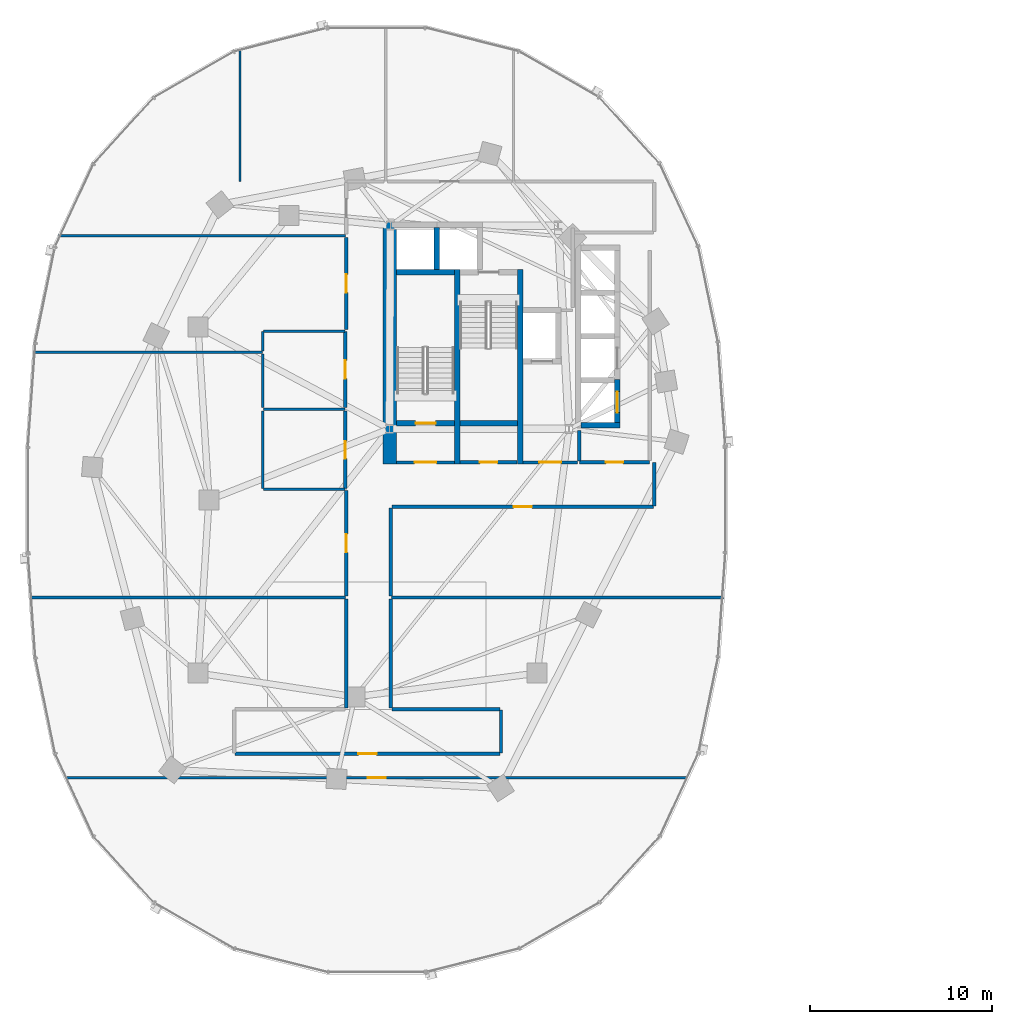
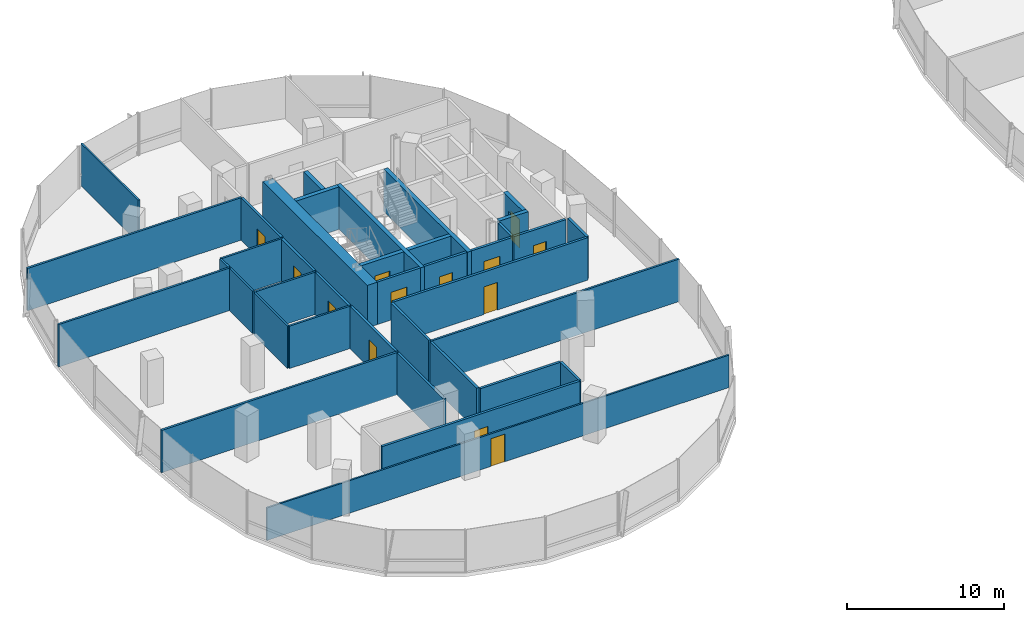
# One storey, part 11 of 21: 38 walls, 13 doors, 13 openings.
"""IFC4 building model written with IfcOpenShell, lengths in metres."""

from ifc_helpers import new_model, si_unit, direction, frame, frame_2d, origin, place, context, subcontext, project, spatial, rectangle, extrude, material, layer, layer_set, type_object, element, fill, save


model = new_model("IFC4")

# Units and contexts
model_context = context("Model", 3, precision=1e-05, world=origin(), true_north=direction((0.0, 1.0)))
body_context = subcontext(model_context, "Body", "Model", "MODEL_VIEW")
ifc_project = project(units=[si_unit("LENGTHUNIT", "METRE"), si_unit("AREAUNIT", "SQUARE_METRE"), si_unit("VOLUMEUNIT", "CUBIC_METRE"), si_unit("PLANEANGLEUNIT", "RADIAN"), si_unit("MASSUNIT", "GRAM", prefix="KILO"), si_unit("THERMODYNAMICTEMPERATUREUNIT", "KELVIN"), si_unit("POWERUNIT", "WATT")], contexts=[model_context])

# Site, building, storey
site_placement = place(None, origin())
site = spatial("IfcSite", under=ifc_project, at=site_placement, CompositionType="ELEMENT")
building_placement = place(site_placement, origin())
building = spatial("IfcBuilding", under=site, at=building_placement, Name="Cundina Bronze Exchange", CompositionType="ELEMENT")
storey_placement = place(building_placement, frame((0.0, 0.0, 114.199951171875)))
storey = spatial("IfcBuildingStorey", under=building, at=storey_placement, Name="L29", CompositionType="ELEMENT", Elevation=114.199951171875)

# Wall
ifc_material_1 = material(Name="Gypsum Fireboard Partition EI120")
ifc_layer_1 = layer(ifc_material_1, 0.179931640625, Name="Gypsum Fireboard Partition EI120")
ifc_layer_set_1 = layer_set([ifc_layer_1], Name="Gypsum Fireboard Partition EI120")
wall_type_1 = type_object("IfcWallType", Name="WL-COR-180", PredefinedType="PARTITIONING", material=ifc_layer_set_1)
wall_1_placement = place(storey_placement, frame((-20.889892578125, 2.14990234375, 0.0), z_axis=(0.0, 0.0, 1.0), x_axis=(0.0, 1.0, 0.0)))
element("IfcWall", 1, at=wall_1_placement, inside=storey, type_object=wall_type_1, Name="L29 W Firefighting Lobby Side Wall", PredefinedType="PARTITIONING", context=body_context, shape_type="SweptSolid", body=[
    extrude(rectangle(XDim=1.650146484375, YDim=0.179931640625, at=frame_2d((0.8251953125, 0.0))), origin(), (0.0, 0.0, 1.0), 3.300048828125),
])

# Wall, opening, door
wall_2_placement = place(storey_placement, frame((-23.97998046875, 2.06005859375, 0.0), z_axis=(0.0, 0.0, 1.0), x_axis=(1.0, 0.0, 0.0)))
wall_2 = element("IfcWall", 2, at=wall_2_placement, inside=storey, type_object=wall_type_1, Name="L29 W Firefighting Lobby Exit Wall", PredefinedType="PARTITIONING", context=body_context, shape_type="SweptSolid", body=[
    extrude(rectangle(XDim=3.0, YDim=0.179931640625, at=frame_2d((1.5, 0.0))), origin(), (0.0, 0.0, 1.0), 3.300048828125),
])
opening_1_placement = place(wall_2_placement, frame((0.89990234375, 0.0, 0.0)))
opening_1 = element("IfcOpeningElement", 3, at=opening_1_placement, cuts=wall_2, Name="Opening DF-01", PredefinedType="OPENING", context=body_context, shape_type="SweptSolid", body=[
    extrude(rectangle(XDim=1.199951171875, YDim=2.14990234375, at=frame_2d((0.60009765625, 1.074951171875))), frame((0.0, 0.099853515625, 0.0), z_axis=(0.0, -1.0, 0.0), x_axis=(1.0, 0.0, 0.0)), (0.0, 0.0, 1.0), 0.199951171875),
])
ifc_material_2 = material(Name="Steel ASTM A36 Painted", Category="steel")
door_type_1 = type_object("IfcDoorType", Name="DR-FFL-1200", OperationType="NOTDEFINED", PredefinedType="DOOR", material=ifc_material_2)
door_1_placement = place(opening_1_placement, origin())
door_1 = element("IfcDoor", 4, at=door_1_placement, inside=storey, type_object=door_type_1, Name="L29 W Firefighting Lobby Door", OperationType="SINGLE_SWING_RIGHT", OverallHeight=2.14990234375, OverallWidth=1.199951171875, PredefinedType="DOOR", context=body_context, shape_type="SweptSolid", body=[
    extrude(rectangle(XDim=1.199951171875, YDim=2.14990234375, at=frame_2d((0.60009765625, 1.074951171875))), frame((0.0, 0.02490234375, 0.0), z_axis=(0.0, -1.0, 0.0), x_axis=(1.0, 0.0, 0.0)), (0.0, 0.0, 1.0), 0.050048828125),
])
fill(opening_1, door_1)

wall_3_placement = place(storey_placement, frame((-30.89990234375, 2.06005859375, 0.0), z_axis=(0.0, 0.0, 1.0), x_axis=(1.0, 0.0, 0.0)))
wall_3 = element("IfcWall", 5, at=wall_3_placement, inside=storey, type_object=wall_type_1, Name="L29 W Stair Vestibule Exit Wall", PredefinedType="PARTITIONING", context=body_context, shape_type="SweptSolid", body=[
    extrude(rectangle(XDim=3.159912109375, YDim=0.179931640625, at=frame_2d((1.580078125, 0.0))), origin(), (0.0, 0.0, 1.0), 3.300048828125),
])
opening_2_placement = place(wall_3_placement, frame((0.97998046875, 0.0, 0.0)))
opening_2 = element("IfcOpeningElement", 6, at=opening_2_placement, cuts=wall_3, Name="Opening DF-01", PredefinedType="OPENING", context=body_context, shape_type="SweptSolid", body=[
    extrude(rectangle(XDim=1.199951171875, YDim=2.14990234375, at=frame_2d((0.60009765625, 1.074951171875))), frame((0.0, 0.099853515625, 0.0), z_axis=(0.0, -1.0, 0.0), x_axis=(1.0, 0.0, 0.0)), (0.0, 0.0, 1.0), 0.199951171875),
])
door_2_placement = place(opening_2_placement, origin())
door_2 = element("IfcDoor", 7, at=door_2_placement, inside=storey, type_object=door_type_1, Name="L29 W Stair Vestibule Door", OperationType="SINGLE_SWING_LEFT", OverallHeight=2.14990234375, OverallWidth=1.199951171875, PredefinedType="DOOR", context=body_context, shape_type="SweptSolid", body=[
    extrude(rectangle(XDim=1.199951171875, YDim=2.14990234375, at=frame_2d((0.60009765625, 1.074951171875))), frame((0.0, 0.02490234375, 0.0), z_axis=(0.0, -1.0, 0.0), x_axis=(1.0, 0.0, 0.0)), (0.0, 0.0, 1.0), 0.050048828125),
])
fill(opening_2, door_2)

wall_4_placement = place(storey_placement, frame((-20.8701171875, 2.070068359375, 0.0), z_axis=(0.0, 0.0, 1.0), x_axis=(1.0, 0.0, 0.0)))
wall_4 = element("IfcWall", 8, at=wall_4_placement, inside=storey, type_object=wall_type_1, Name="L29 Interior Partition 002", PredefinedType="PARTITIONING", context=body_context, shape_type="SweptSolid", body=[
    extrude(rectangle(XDim=3.830078125, YDim=0.179931640625, at=frame_2d((1.9150390625, 0.0))), origin(), (0.0, 0.0, 1.0), 3.300048828125),
])
opening_3_placement = place(wall_4_placement, frame((1.43994140625, 0.0, 0.0)))
opening_3 = element("IfcOpeningElement", 9, at=opening_3_placement, cuts=wall_4, Name="Opening DW-01", PredefinedType="OPENING", context=body_context, shape_type="SweptSolid", body=[
    extrude(rectangle(XDim=0.949951171875, YDim=2.10009765625, at=frame_2d((0.47509765625, 1.050048828125))), frame((0.0, 0.099853515625, 0.0), z_axis=(0.0, -1.0, 0.0), x_axis=(1.0, 0.0, 0.0)), (0.0, 0.0, 1.0), 0.199951171875),
])
ifc_material_3 = material(Name="Solid Andean Oak Timber Grade A", Category="wood")
door_type_2 = type_object("IfcDoorType", Name="DR-WC-950", OperationType="NOTDEFINED", PredefinedType="DOOR", material=ifc_material_3)
door_3_placement = place(opening_3_placement, origin())
door_3 = element("IfcDoor", 10, at=door_3_placement, inside=storey, type_object=door_type_2, Name="L29 Interior Door 002", OperationType="SINGLE_SWING_LEFT", OverallHeight=2.10009765625, OverallWidth=0.949951171875, PredefinedType="DOOR", context=body_context, shape_type="SweptSolid", body=[
    extrude(rectangle(XDim=0.949951171875, YDim=2.10009765625, at=frame_2d((0.47509765625, 1.050048828125))), frame((0.0, 0.02490234375, 0.0), z_axis=(0.0, -1.0, 0.0), x_axis=(1.0, 0.0, 0.0)), (0.0, 0.0, 1.0), 0.050048828125),
])
fill(opening_3, door_3)

wall_5_placement = place(storey_placement, frame((-27.419921875, 2.070068359375, 0.0), z_axis=(0.0, 0.0, 1.0), x_axis=(1.0, 0.0, 0.0)))
wall_5 = element("IfcWall", 11, at=wall_5_placement, inside=storey, type_object=wall_type_1, Name="L29 Interior Partition 005", PredefinedType="PARTITIONING", context=body_context, shape_type="SweptSolid", body=[
    extrude(rectangle(XDim=3.119873046875, YDim=0.179931640625, at=frame_2d((1.56005859375, 0.0))), origin(), (0.0, 0.0, 1.0), 3.300048828125),
])
opening_4_placement = place(wall_5_placement, frame((1.0849609375, 0.0, 0.0)))
opening_4 = element("IfcOpeningElement", 12, at=opening_4_placement, cuts=wall_5, Name="Opening DW-01", PredefinedType="OPENING", context=body_context, shape_type="SweptSolid", body=[
    extrude(rectangle(XDim=0.949951171875, YDim=2.10009765625, at=frame_2d((0.47509765625, 1.050048828125))), frame((0.0, 0.099853515625, 0.0), z_axis=(0.0, -1.0, 0.0), x_axis=(1.0, 0.0, 0.0)), (0.0, 0.0, 1.0), 0.199951171875),
])
door_4_placement = place(opening_4_placement, origin())
door_4 = element("IfcDoor", 13, at=door_4_placement, inside=storey, type_object=door_type_2, Name="L29 Interior Door 005", OperationType="SINGLE_SWING_RIGHT", OverallHeight=2.10009765625, OverallWidth=0.949951171875, PredefinedType="DOOR", context=body_context, shape_type="SweptSolid", body=[
    extrude(rectangle(XDim=0.949951171875, YDim=2.10009765625, at=frame_2d((0.47509765625, 1.050048828125))), frame((0.0, 0.02490234375, 0.0), z_axis=(0.0, -1.0, 0.0), x_axis=(1.0, 0.0, 0.0)), (0.0, 0.0, 1.0), 0.050048828125),
])
fill(opening_4, door_4)

wall_6_placement = place(storey_placement, frame((-33.719970703125, 0.6201171875, 0.0), z_axis=(0.0, 0.0, 1.0), x_axis=(0.0, 1.0, 0.0)))
wall_6 = element("IfcWall", 14, at=wall_6_placement, inside=storey, type_object=wall_type_1, Name="L29 Interior Partition 012", PredefinedType="PARTITIONING", context=body_context, shape_type="SweptSolid", body=[
    extrude(rectangle(XDim=4.259765625, YDim=0.179931640625, at=frame_2d((2.1298828125, 0.0))), origin(), (0.0, 0.0, 1.0), 3.300048828125),
])
opening_5_placement = place(wall_6_placement, frame((1.655029296875, 0.0, 0.0)))
opening_5 = element("IfcOpeningElement", 15, at=opening_5_placement, cuts=wall_6, Name="Opening DW-01", PredefinedType="OPENING", context=body_context, shape_type="SweptSolid", body=[
    extrude(rectangle(XDim=0.949951171875, YDim=2.10009765625, at=frame_2d((0.47509765625, 1.050048828125))), frame((0.0, 0.099853515625, 0.0), z_axis=(0.0, -1.0, 0.0), x_axis=(1.0, 0.0, 0.0)), (0.0, 0.0, 1.0), 0.199951171875),
])
door_5_placement = place(opening_5_placement, origin())
door_5 = element("IfcDoor", 16, at=door_5_placement, inside=storey, type_object=door_type_2, Name="L29 Interior Door 012", OperationType="SINGLE_SWING_LEFT", OverallHeight=2.10009765625, OverallWidth=0.949951171875, PredefinedType="DOOR", context=body_context, shape_type="SweptSolid", body=[
    extrude(rectangle(XDim=0.949951171875, YDim=2.10009765625, at=frame_2d((0.47509765625, 1.050048828125))), frame((0.0, 0.02490234375, 0.0), z_axis=(0.0, -1.0, 0.0), x_axis=(1.0, 0.0, 0.0)), (0.0, 0.0, 1.0), 0.050048828125),
])
fill(opening_5, door_5)

wall_7_placement = place(storey_placement, frame((-33.719970703125, 5.080078125, 0.0), z_axis=(0.0, 0.0, 1.0), x_axis=(0.0, 1.0, 0.0)))
wall_7 = element("IfcWall", 17, at=wall_7_placement, inside=storey, type_object=wall_type_1, Name="L29 Interior Partition 013", PredefinedType="PARTITIONING", context=body_context, shape_type="SweptSolid", body=[
    extrude(rectangle(XDim=4.159912109375, YDim=0.179931640625, at=frame_2d((2.080078125, 0.0))), origin(), (0.0, 0.0, 1.0), 3.300048828125),
])
opening_6_placement = place(wall_7_placement, frame((1.580078125, 0.0, 0.0)))
opening_6 = element("IfcOpeningElement", 18, at=opening_6_placement, cuts=wall_7, Name="Opening DO-01", PredefinedType="OPENING", context=body_context, shape_type="SweptSolid", body=[
    extrude(rectangle(XDim=1.0, YDim=2.14990234375, at=frame_2d((0.5, 1.074951171875))), frame((0.0, 0.099853515625, 0.0), z_axis=(0.0, -1.0, 0.0), x_axis=(1.0, 0.0, 0.0)), (0.0, 0.0, 1.0), 0.199951171875),
])
door_type_3 = type_object("IfcDoorType", Name="DR-OFF-1000", OperationType="NOTDEFINED", PredefinedType="DOOR", material=ifc_material_3)
door_6_placement = place(opening_6_placement, origin())
door_6 = element("IfcDoor", 19, at=door_6_placement, inside=storey, type_object=door_type_3, Name="L29 Interior Door 013", OperationType="SINGLE_SWING_LEFT", OverallHeight=2.14990234375, OverallWidth=1.0, PredefinedType="DOOR", context=body_context, shape_type="SweptSolid", body=[
    extrude(rectangle(XDim=1.0, YDim=2.14990234375, at=frame_2d((0.5, 1.074951171875))), frame((0.0, 0.02490234375, 0.0), z_axis=(0.0, -1.0, 0.0), x_axis=(1.0, 0.0, 0.0)), (0.0, 0.0, 1.0), 0.050048828125),
])
fill(opening_6, door_6)

wall_8_placement = place(storey_placement, frame((-39.778564453125, -13.919921875, 0.0), z_axis=(0.0, 0.0, 1.0), x_axis=(1.0, 0.0, 0.0)))
wall_8 = element("IfcWall", 20, at=wall_8_placement, inside=storey, type_object=wall_type_1, Name="L29 Interior Partition 021", PredefinedType="PARTITIONING", context=body_context, shape_type="SweptSolid", body=[
    extrude(rectangle(XDim=14.55712890625, YDim=0.179931640625, at=frame_2d((7.278564453125, 0.0))), origin(), (0.0, 0.0, 1.0), 3.300048828125),
])
opening_7_placement = place(wall_8_placement, frame((6.778564453125, 0.0, 0.0)))
opening_7 = element("IfcOpeningElement", 21, at=opening_7_placement, cuts=wall_8, Name="Opening DO-01", PredefinedType="OPENING", context=body_context, shape_type="SweptSolid", body=[
    extrude(rectangle(XDim=1.0, YDim=2.14990234375, at=frame_2d((0.5, 1.074951171875))), frame((0.0, 0.099853515625, 0.0), z_axis=(0.0, -1.0, 0.0), x_axis=(1.0, 0.0, 0.0)), (0.0, 0.0, 1.0), 0.199951171875),
])
door_7_placement = place(opening_7_placement, origin())
door_7 = element("IfcDoor", 22, at=door_7_placement, inside=storey, type_object=door_type_3, Name="L29 Interior Door 021", OperationType="SINGLE_SWING_RIGHT", OverallHeight=2.14990234375, OverallWidth=1.0, PredefinedType="DOOR", context=body_context, shape_type="SweptSolid", body=[
    extrude(rectangle(XDim=1.0, YDim=2.14990234375, at=frame_2d((0.5, 1.074951171875))), frame((0.0, 0.02490234375, 0.0), z_axis=(0.0, -1.0, 0.0), x_axis=(1.0, 0.0, 0.0)), (0.0, 0.0, 1.0), 0.050048828125),
])
fill(opening_7, door_7)

# Walls
for number, where, z_axis, x_axis, name in (
    (23, (-33.669921875, -5.43994140625, 0.0), (0.0, 0.0, 1.0), (0.0, -1.0, 0.0), "L29 Interior Partition 023"),
    (24, (-31.22998046875, -11.39990234375, 0.0), (0.0, 0.0, 1.0), (0.0, 1.0, 0.0), "L29 Interior Partition 024"),
):
    element("IfcWall", number, at=place(storey_placement, frame(where, z_axis=z_axis, x_axis=x_axis)), inside=storey, type_object=wall_type_1, Name=name, PredefinedType="PARTITIONING", context=body_context, shape_type="SweptSolid", body=[
        extrude(rectangle(XDim=5.9599609375, YDim=0.179931640625, at=frame_2d((2.97998046875, 0.0))), origin(), (0.0, 0.0, 1.0), 3.300048828125),
    ])
wall_9_placement = place(storey_placement, frame((-25.221435546875, -11.47998046875, 0.0), z_axis=(0.0, 0.0, 1.0), x_axis=(-1.0, 0.0, 0.0)))
element("IfcWall", 25, at=wall_9_placement, inside=storey, type_object=wall_type_1, Name="L29 Interior Partition 025", PredefinedType="PARTITIONING", context=body_context, shape_type="SweptSolid", body=[
    extrude(rectangle(XDim=5.928466796875, YDim=0.179931640625, at=frame_2d((2.96435546875, 0.0))), origin(), (0.0, 0.0, 1.0), 3.300048828125),
])
wall_10_placement = place(storey_placement, frame((-25.179931640625, -13.87841796875, 0.0), z_axis=(0.0, 0.0, 1.0), x_axis=(0.0, 1.0, 0.0)))
element("IfcWall", 26, at=wall_10_placement, inside=storey, type_object=wall_type_1, Name="L29 Interior Partition 027", PredefinedType="PARTITIONING", context=body_context, shape_type="SweptSolid", body=[
    extrude(rectangle(XDim=2.35693359375, YDim=0.179931640625, at=frame_2d((1.178466796875, 0.0))), origin(), (0.0, 0.0, 1.0), 3.300048828125),
])

# Wall, opening, door
wall_11_placement = place(storey_placement, frame((-33.669921875, 0.508544921875, 0.0), z_axis=(0.0, 0.0, 1.0), x_axis=(0.0, -1.0, 0.0)))
wall_11 = element("IfcWall", 27, at=wall_11_placement, inside=storey, type_object=wall_type_1, Name="L29 Interior Partition 028", PredefinedType="PARTITIONING", context=body_context, shape_type="SweptSolid", body=[
    extrude(rectangle(XDim=5.7685546875, YDim=0.179931640625, at=frame_2d((2.88427734375, 0.0))), origin(), (0.0, 0.0, 1.0), 3.300048828125),
])
opening_8_placement = place(wall_11_placement, frame((2.38427734375, 0.0, 0.0)))
opening_8 = element("IfcOpeningElement", 28, at=opening_8_placement, cuts=wall_11, Name="Opening DO-01", PredefinedType="OPENING", context=body_context, shape_type="SweptSolid", body=[
    extrude(rectangle(XDim=1.0, YDim=2.14990234375, at=frame_2d((0.5, 1.074951171875))), frame((0.0, 0.099853515625, 0.0), z_axis=(0.0, -1.0, 0.0), x_axis=(1.0, 0.0, 0.0)), (0.0, 0.0, 1.0), 0.199951171875),
])
door_8_placement = place(opening_8_placement, origin())
door_8 = element("IfcDoor", 29, at=door_8_placement, inside=storey, type_object=door_type_3, Name="L29 Interior Door 028", OperationType="SINGLE_SWING_LEFT", OverallHeight=2.14990234375, OverallWidth=1.0, PredefinedType="DOOR", context=body_context, shape_type="SweptSolid", body=[
    extrude(rectangle(XDim=1.0, YDim=2.14990234375, at=frame_2d((0.5, 1.074951171875))), frame((0.0, 0.02490234375, 0.0), z_axis=(0.0, -1.0, 0.0), x_axis=(1.0, 0.0, 0.0)), (0.0, 0.0, 1.0), 0.050048828125),
])
fill(opening_8, door_8)

wall_12_placement = place(storey_placement, frame((-31.14990234375, -0.3701171875, 0.0), z_axis=(0.0, 0.0, 1.0), x_axis=(1.0, 0.0, 0.0)))
wall_12 = element("IfcWall", 30, at=wall_12_placement, inside=storey, type_object=wall_type_1, Name="L29 Interior Partition 029", PredefinedType="PARTITIONING", context=body_context, shape_type="SweptSolid", body=[
    extrude(rectangle(XDim=14.328369140625, YDim=0.179931640625, at=frame_2d((7.1640625, 0.0))), origin(), (0.0, 0.0, 1.0), 3.300048828125),
])
opening_9_placement = place(wall_12_placement, frame((6.664306640625, 0.0, 0.0)))
opening_9 = element("IfcOpeningElement", 31, at=opening_9_placement, cuts=wall_12, Name="Opening DO-01", PredefinedType="OPENING", context=body_context, shape_type="SweptSolid", body=[
    extrude(rectangle(XDim=1.0, YDim=2.14990234375, at=frame_2d((0.5, 1.074951171875))), frame((0.0, 0.099853515625, 0.0), z_axis=(0.0, -1.0, 0.0), x_axis=(1.0, 0.0, 0.0)), (0.0, 0.0, 1.0), 0.199951171875),
])
door_9_placement = place(opening_9_placement, origin())
door_9 = element("IfcDoor", 32, at=door_9_placement, inside=storey, type_object=door_type_3, Name="L29 Interior Door 029", OperationType="SINGLE_SWING_RIGHT", OverallHeight=2.14990234375, OverallWidth=1.0, PredefinedType="DOOR", context=body_context, shape_type="SweptSolid", body=[
    extrude(rectangle(XDim=1.0, YDim=2.14990234375, at=frame_2d((0.5, 1.074951171875))), frame((0.0, 0.02490234375, 0.0), z_axis=(0.0, -1.0, 0.0), x_axis=(1.0, 0.0, 0.0)), (0.0, 0.0, 1.0), 0.050048828125),
])
fill(opening_9, door_9)

# Walls
wall_13_placement = place(storey_placement, frame((-31.22998046875, -5.260009765625, 0.0), z_axis=(0.0, 0.0, 1.0), x_axis=(0.0, 1.0, 0.0)))
element("IfcWall", 33, at=wall_13_placement, inside=storey, type_object=wall_type_1, Name="L29 Interior Partition 031", PredefinedType="PARTITIONING", context=body_context, shape_type="SweptSolid", body=[
    extrude(rectangle(XDim=4.81005859375, YDim=0.179931640625, at=frame_2d((2.405029296875, 0.0))), origin(), (0.0, 0.0, 1.0), 3.300048828125),
])
wall_14_placement = place(storey_placement, frame((-16.780029296875, -0.32861328125, 0.0), z_axis=(0.0, 0.0, 1.0), x_axis=(0.0, 1.0, 0.0)))
element("IfcWall", 34, at=wall_14_placement, inside=storey, type_object=wall_type_1, Name="L29 Interior Partition 034", PredefinedType="PARTITIONING", context=body_context, shape_type="SweptSolid", body=[
    extrude(rectangle(XDim=2.38720703125, YDim=0.179931640625, at=frame_2d((1.193603515625, 0.0))), origin(), (0.0, 0.0, 1.0), 3.300048828125),
])

# Wall, opening, door
wall_15_placement = place(storey_placement, frame((-33.669921875, 14.409912109375, 0.0), z_axis=(0.0, 0.0, 1.0), x_axis=(0.0, -1.0, 0.0)))
wall_15 = element("IfcWall", 35, at=wall_15_placement, inside=storey, type_object=wall_type_1, Name="L29 Interior Partition 035", PredefinedType="PARTITIONING", context=body_context, shape_type="SweptSolid", body=[
    extrude(rectangle(XDim=5.05859375, YDim=0.179931640625, at=frame_2d((2.529296875, 0.0))), origin(), (0.0, 0.0, 1.0), 3.300048828125),
])
opening_10_placement = place(wall_15_placement, frame((2.029296875, 0.0, 0.0)))
opening_10 = element("IfcOpeningElement", 36, at=opening_10_placement, cuts=wall_15, Name="Opening DO-01", PredefinedType="OPENING", context=body_context, shape_type="SweptSolid", body=[
    extrude(rectangle(XDim=1.0, YDim=2.14990234375, at=frame_2d((0.5, 1.074951171875))), frame((0.0, 0.099853515625, 0.0), z_axis=(0.0, -1.0, 0.0), x_axis=(1.0, 0.0, 0.0)), (0.0, 0.0, 1.0), 0.199951171875),
])
door_10_placement = place(opening_10_placement, origin())
door_10 = element("IfcDoor", 37, at=door_10_placement, inside=storey, type_object=door_type_3, Name="L29 Interior Door 035", OperationType="SINGLE_SWING_LEFT", OverallHeight=2.14990234375, OverallWidth=1.0, PredefinedType="DOOR", context=body_context, shape_type="SweptSolid", body=[
    extrude(rectangle(XDim=1.0, YDim=2.14990234375, at=frame_2d((0.5, 1.074951171875))), frame((0.0, 0.02490234375, 0.0), z_axis=(0.0, -1.0, 0.0), x_axis=(1.0, 0.0, 0.0)), (0.0, 0.0, 1.0), 0.050048828125),
])
fill(opening_10, door_10)

# Walls
ifc_material_4 = material(Name="Concrete C60/75", Category="concrete")
ifc_layer_2 = layer(ifc_material_4, 0.75, Name="Concrete C60/75", Category="concrete")
ifc_layer_set_2 = layer_set([ifc_layer_2], Name="Concrete C60/75")
wall_type_2 = type_object("IfcWallType", Name="WL-CORE-750", PredefinedType="SHEAR", material=ifc_layer_set_2)
wall_16_placement = place(storey_placement, frame((-31.27490234375, 1.969970703125, 0.0), z_axis=(0.0, 0.0, 1.0), x_axis=(0.0, 1.0, 0.0)))
element("IfcWall", 38, at=wall_16_placement, inside=storey, type_object=wall_type_2, Name="L29 W Primary Core Shear Spine Wall", PredefinedType="SHEAR", context=body_context, shape_type="SweptSolid", body=[
    extrude(rectangle(XDim=13.330078125, YDim=0.75, at=frame_2d((6.6650390625, 0.0))), origin(), (0.0, 0.0, 1.0), 3.300048828125),
])
ifc_material_5 = material(Name="Gypsum Acoustic Partition EI60")
ifc_layer_3 = layer(ifc_material_5, 0.125, Name="Gypsum Acoustic Partition EI60")
ifc_layer_set_3 = layer_set([ifc_layer_3], Name="Gypsum Acoustic Partition EI60")
wall_type_3 = type_object("IfcWallType", Name="WL-OFF-125", PredefinedType="PARTITIONING", material=ifc_layer_set_3)
wall_17_placement = place(storey_placement, frame((-39.5, 17.469970703125, 0.0), z_axis=(0.0, 0.0, 1.0), x_axis=(0.0, 1.0, 0.0)))
element("IfcWall", 39, at=wall_17_placement, inside=storey, type_object=wall_type_3, Name="L29 Interior Partition 018", PredefinedType="PARTITIONING", context=body_context, shape_type="SweptSolid", body=[
    extrude(rectangle(XDim=7.30224609375, YDim=0.125, at=frame_2d((3.651123046875, 0.0))), origin(), (0.0, 0.0, 1.0), 3.300048828125),
])

# Wall, opening, door
wall_18_placement = place(storey_placement, frame((-49.005126953125, -15.22998046875, 0.0), z_axis=(0.0, 0.0, 1.0), x_axis=(1.0, 0.0, 0.0)))
wall_18 = element("IfcWall", 40, at=wall_18_placement, inside=storey, type_object=wall_type_3, Name="L29 Interior Partition 039", PredefinedType="PARTITIONING", context=body_context, shape_type="SweptSolid", body=[
    extrude(rectangle(XDim=34.01025390625, YDim=0.125, at=frame_2d((17.005126953125, 0.0))), origin(), (0.0, 0.0, 1.0), 2.527099609375),
])
opening_11_placement = place(wall_18_placement, frame((16.505126953125, 0.0, 0.0)))
opening_11 = element("IfcOpeningElement", 41, at=opening_11_placement, cuts=wall_18, Name="Opening DO-01", PredefinedType="OPENING", context=body_context, shape_type="SweptSolid", body=[
    extrude(rectangle(XDim=1.0, YDim=2.14990234375, at=frame_2d((0.5, 1.074951171875))), frame((0.0, 0.072509765625, 0.0), z_axis=(0.0, -1.0, 0.0), x_axis=(1.0, 0.0, 0.0)), (0.0, 0.0, 1.0), 0.14501953125),
])
door_11_placement = place(opening_11_placement, origin())
door_11 = element("IfcDoor", 42, at=door_11_placement, inside=storey, type_object=door_type_3, Name="L29 Interior Door 039", OperationType="SINGLE_SWING_RIGHT", OverallHeight=2.14990234375, OverallWidth=1.0, PredefinedType="DOOR", context=body_context, shape_type="SweptSolid", body=[
    extrude(rectangle(XDim=1.0, YDim=2.14990234375, at=frame_2d((0.5, 1.074951171875))), frame((0.0, 0.02490234375, 0.0), z_axis=(0.0, -1.0, 0.0), x_axis=(1.0, 0.0, 0.0)), (0.0, 0.0, 1.0), 0.050048828125),
])
fill(opening_11, door_11)

# Walls
ifc_material_6 = material(Name="Concrete C50/60", Category="concrete")
ifc_layer_4 = layer(ifc_material_6, 0.300048828125, Name="Concrete C50/60", Category="concrete")
ifc_layer_set_4 = layer_set([ifc_layer_4], Name="Concrete C50/60")
wall_type_4 = type_object("IfcWallType", Name="WL-SHFT-300", PredefinedType="SHEAR", material=ifc_layer_set_4)
for number, where, z_axis, x_axis, name in (
    (43, (-27.590087890625, 1.969970703125, 0.0), (0.0, 0.0, 1.0), (0.0, 1.0, 0.0), "L29 W Stair Shaft Dividing Shear Wall"),
    (44, (-24.1298828125, 1.969970703125, 0.0), (0.0, 0.0, 1.0), (0.0, 1.0, 0.0), "L29 W Stair 2 East Shear Wall"),
):
    element("IfcWall", number, at=place(storey_placement, frame(where, z_axis=z_axis, x_axis=x_axis)), inside=storey, type_object=wall_type_4, Name=name, PredefinedType="SHEAR", context=body_context, shape_type="SweptSolid", body=[
        extrude(rectangle(XDim=10.679931640625, YDim=0.300048828125, at=frame_2d((5.33984375, 0.0))), origin(), (0.0, 0.0, 1.0), 3.300048828125),
    ])

# Wall, opening, door
wall_19_placement = place(storey_placement, frame((-30.89990234375, 4.199951171875, 0.0), z_axis=(0.0, 0.0, 1.0), x_axis=(1.0, 0.0, 0.0)))
wall_19 = element("IfcWall", 45, at=wall_19_placement, inside=storey, type_object=wall_type_4, Name="L29 Stair W1 Landing Wall", PredefinedType="SHEAR", context=body_context, shape_type="SweptSolid", body=[
    extrude(rectangle(XDim=3.159912109375, YDim=0.300048828125, at=frame_2d((1.580078125, 0.0))), origin(), (0.0, 0.0, 1.0), 3.300048828125),
])
opening_12_placement = place(wall_19_placement, frame((1.030029296875, 0.0, 0.0)))
opening_12 = element("IfcOpeningElement", 46, at=opening_12_placement, cuts=wall_19, Name="Opening DS-01", PredefinedType="OPENING", context=body_context, shape_type="SweptSolid", body=[
    extrude(rectangle(XDim=1.10009765625, YDim=2.14990234375, at=frame_2d((0.550048828125, 1.074951171875))), frame((0.0, 0.159912109375, 0.0), z_axis=(0.0, -1.0, 0.0), x_axis=(1.0, 0.0, 0.0)), (0.0, 0.0, 1.0), 0.320068359375),
])
door_type_4 = type_object("IfcDoorType", Name="DR-STR-1100", OperationType="NOTDEFINED", PredefinedType="DOOR", material=ifc_material_2)
door_12_placement = place(opening_12_placement, origin())
door_12 = element("IfcDoor", 47, at=door_12_placement, inside=storey, type_object=door_type_4, Name="L29 Smokeproof Stair W1 Door", OperationType="SINGLE_SWING_RIGHT", OverallHeight=2.14990234375, OverallWidth=1.10009765625, PredefinedType="DOOR", context=body_context, shape_type="SweptSolid", body=[
    extrude(rectangle(XDim=1.10009765625, YDim=2.14990234375, at=frame_2d((0.550048828125, 1.074951171875))), frame((0.0, 0.02490234375, 0.0), z_axis=(0.0, -1.0, 0.0), x_axis=(1.0, 0.0, 0.0)), (0.0, 0.0, 1.0), 0.050048828125),
])
fill(opening_12, door_12)

# Walls
for number, where, z_axis, x_axis, name in (
    (48, (-30.89990234375, 12.5, 0.0), (0.0, 0.0, 1.0), (1.0, 0.0, 0.0), "L29 Stair W1 Far Shaft Wall"),
    (49, (-27.43994140625, 4.199951171875, 0.0), (0.0, 0.0, 1.0), (1.0, 0.0, 0.0), "L29 Stair W2 Far Shaft Wall"),
):
    element("IfcWall", number, at=place(storey_placement, frame(where, z_axis=z_axis, x_axis=x_axis)), inside=storey, type_object=wall_type_4, Name=name, PredefinedType="SHEAR", context=body_context, shape_type="SweptSolid", body=[
        extrude(rectangle(XDim=3.159912109375, YDim=0.300048828125, at=frame_2d((1.580078125, 0.0))), origin(), (0.0, 0.0, 1.0), 3.300048828125),
    ])
wall_20_placement = place(storey_placement, frame((-28.699951171875, 12.64990234375, 0.0), z_axis=(0.0, 0.0, 1.0), x_axis=(0.0, 1.0, 0.0)))
element("IfcWall", 50, at=wall_20_placement, inside=storey, type_object=wall_type_4, Name="L29 PH-W1 Hoistway Divider Wall", PredefinedType="SHEAR", context=body_context, shape_type="SweptSolid", body=[
    extrude(rectangle(XDim=2.300048828125, YDim=0.300048828125, at=frame_2d((1.14990234375, 0.0))), origin(), (0.0, 0.0, 1.0), 3.300048828125),
])
wall_21_placement = place(storey_placement, frame((-20.800048828125, 4.10009765625, 0.0), z_axis=(0.0, 0.0, 1.0), x_axis=(1.0, 0.0, 0.0)))
element("IfcWall", 51, at=wall_21_placement, inside=storey, type_object=wall_type_4, Name="L29 W Passenger Bank South Cap Wall", PredefinedType="SHEAR", context=body_context, shape_type="SweptSolid", body=[
    extrude(rectangle(XDim=2.150146484375, YDim=0.300048828125, at=frame_2d((1.0751953125, 0.0))), origin(), (0.0, 0.0, 1.0), 3.300048828125),
])

# Wall, opening, door
wall_22_placement = place(storey_placement, frame((-18.800048828125, 4.1298828125, 0.0), z_axis=(0.0, 0.0, 1.0), x_axis=(0.0, 1.0, 0.0)))
wall_22 = element("IfcWall", 52, at=wall_22_placement, inside=storey, type_object=wall_type_4, Name="L29 PL-W2 Hoistway Front Wall", PredefinedType="SHEAR", context=body_context, shape_type="SweptSolid", body=[
    extrude(rectangle(XDim=2.490234375, YDim=0.300048828125, at=frame_2d((1.2451171875, 0.0))), origin(), (0.0, 0.0, 1.0), 3.300048828125),
])
opening_13_placement = place(wall_22_placement, frame((0.669921875, 0.0, 0.0)))
opening_13 = element("IfcOpeningElement", 53, at=opening_13_placement, cuts=wall_22, Name="Opening LD-01", PredefinedType="OPENING", context=body_context, shape_type="SweptSolid", body=[
    extrude(rectangle(XDim=1.14990234375, YDim=2.199951171875, at=frame_2d((0.574951171875, 1.10009765625))), frame((0.0, 0.159912109375, 0.0), z_axis=(0.0, -1.0, 0.0), x_axis=(1.0, 0.0, 0.0)), (0.0, 0.0, 1.0), 0.320068359375),
])
door_type_5 = type_object("IfcDoorType", Name="DR-LND-1150", OperationType="NOTDEFINED", PredefinedType="TRAPDOOR", material=ifc_material_2)
door_13_placement = place(opening_13_placement, origin())
door_13 = element("IfcDoor", 54, at=door_13_placement, inside=storey, type_object=door_type_5, Name="L29 PL-W2 Sliding Landing Door", OperationType="SLIDING_TO_LEFT", OverallHeight=2.199951171875, OverallWidth=1.14990234375, PredefinedType="TRAPDOOR", context=body_context, shape_type="SweptSolid", body=[
    extrude(rectangle(XDim=1.14990234375, YDim=2.199951171875, at=frame_2d((0.574951171875, 1.10009765625))), frame((0.0, 0.02490234375, 0.0), z_axis=(0.0, -1.0, 0.0), x_axis=(1.0, 0.0, 0.0)), (0.0, 0.0, 1.0), 0.050048828125),
])
fill(opening_13, door_13)

# Walls
ifc_layer_5 = layer(ifc_material_5, 0.14990234375, Name="Gypsum Acoustic Partition EI60")
ifc_layer_set_5 = layer_set([ifc_layer_5], Name="Gypsum Acoustic Partition EI60")
wall_type_5 = type_object("IfcWallType", Name="WL-TEN-150", PredefinedType="PARTITIONING", material=ifc_layer_set_5)
wall_23_placement = place(storey_placement, frame((-51.03759765625, -5.35009765625, 0.0), z_axis=(0.0, 0.0, 1.0), x_axis=(1.0, 0.0, 0.0)))
element("IfcWall", 55, at=wall_23_placement, inside=storey, type_object=wall_type_5, Name="L29 Interior Partition 014", PredefinedType="PARTITIONING", context=body_context, shape_type="SweptSolid", body=[
    extrude(rectangle(XDim=17.337646484375, YDim=0.14990234375, at=frame_2d((8.6689453125, 0.0))), origin(), (0.0, 0.0, 1.0), 3.300048828125),
])
wall_24_placement = place(storey_placement, frame((-31.199951171875, -5.35009765625, 0.0), z_axis=(0.0, 0.0, 1.0), x_axis=(1.0, 0.0, 0.0)))
element("IfcWall", 56, at=wall_24_placement, inside=storey, type_object=wall_type_5, Name="L29 Interior Partition 015", PredefinedType="PARTITIONING", context=body_context, shape_type="SweptSolid", body=[
    extrude(rectangle(XDim=18.237548828125, YDim=0.14990234375, at=frame_2d((9.11865234375, 0.0))), origin(), (0.0, 0.0, 1.0), 3.300048828125),
])
wall_25_placement = place(storey_placement, frame((-50.843994140625, 8.10009765625, 0.0), z_axis=(0.0, 0.0, 1.0), x_axis=(1.0, 0.0, 0.0)))
element("IfcWall", 57, at=wall_25_placement, inside=storey, type_object=wall_type_5, Name="L29 Interior Partition 016", PredefinedType="PARTITIONING", context=body_context, shape_type="SweptSolid", body=[
    extrude(rectangle(XDim=12.573974609375, YDim=0.14990234375, at=frame_2d((6.287109375, 0.0))), origin(), (0.0, 0.0, 1.0), 3.300048828125),
])
wall_26_placement = place(storey_placement, frame((-49.45458984375, 14.5, 0.0), z_axis=(0.0, 0.0, 1.0), x_axis=(1.0, 0.0, 0.0)))
element("IfcWall", 58, at=wall_26_placement, inside=storey, type_object=wall_type_5, Name="L29 Interior Partition 017", PredefinedType="PARTITIONING", context=body_context, shape_type="SweptSolid", body=[
    extrude(rectangle(XDim=15.754638671875, YDim=0.14990234375, at=frame_2d((7.87744140625, 0.0))), origin(), (0.0, 0.0, 1.0), 3.300048828125),
])
ifc_material_7 = material(Name="Moisture-Resistant Masonry Block Grade M15", Category="masonry")
ifc_layer_6 = layer(ifc_material_7, 0.139892578125, Name="Moisture-Resistant Masonry Block Grade M15", Category="masonry")
ifc_layer_set_6 = layer_set([ifc_layer_6], Name="Moisture-Resistant Masonry Block Grade M15")
wall_type_6 = type_object("IfcWallType", Name="WL-WET-140", PredefinedType="PARTITIONING", material=ifc_layer_set_6)
wall_27_placement = place(storey_placement, frame((-38.239990234375, 0.6201171875, 0.0), z_axis=(0.0, 0.0, 1.0), x_axis=(0.0, 1.0, 0.0)))
element("IfcWall", 59, at=wall_27_placement, inside=storey, type_object=wall_type_6, Name="L29 Interior Partition 006", PredefinedType="PARTITIONING", context=body_context, shape_type="SweptSolid", body=[
    extrude(rectangle(XDim=4.27490234375, YDim=0.139892578125, at=frame_2d((2.137451171875, 0.0))), origin(), (0.0, 0.0, 1.0), 3.300048828125),
])
wall_28_placement = place(storey_placement, frame((-38.239990234375, 5.06494140625, 0.0), z_axis=(0.0, 0.0, 1.0), x_axis=(0.0, 1.0, 0.0)))
element("IfcWall", 60, at=wall_28_placement, inside=storey, type_object=wall_type_6, Name="L29 Interior Partition 007", PredefinedType="PARTITIONING", context=body_context, shape_type="SweptSolid", body=[
    extrude(rectangle(XDim=2.949951171875, YDim=0.139892578125, at=frame_2d((1.47509765625, 0.0))), origin(), (0.0, 0.0, 1.0), 3.300048828125),
])
wall_29_placement = place(storey_placement, frame((-38.239990234375, 8.18505859375, 0.0), z_axis=(0.0, 0.0, 1.0), x_axis=(0.0, 1.0, 0.0)))
element("IfcWall", 61, at=wall_29_placement, inside=storey, type_object=wall_type_6, Name="L29 Interior Partition 008", PredefinedType="PARTITIONING", context=body_context, shape_type="SweptSolid", body=[
    extrude(rectangle(XDim=1.054931640625, YDim=0.139892578125, at=frame_2d((0.52734375, 0.0))), origin(), (0.0, 0.0, 1.0), 3.300048828125),
])
for number, where, z_axis, x_axis, name in (
    (62, (-38.219970703125, 0.60009765625, 0.0), (0.0, 0.0, 1.0), (1.0, 0.0, 0.0), "L29 Interior Partition 009"),
    (63, (-38.219970703125, 4.97998046875, 0.0), (0.0, 0.0, 1.0), (1.0, 0.0, 0.0), "L29 Interior Partition 010"),
    (64, (-38.219970703125, 9.260009765625, 0.0), (0.0, 0.0, 1.0), (1.0, 0.0, 0.0), "L29 Interior Partition 011"),
):
    element("IfcWall", number, at=place(storey_placement, frame(where, z_axis=z_axis, x_axis=x_axis)), inside=storey, type_object=wall_type_6, Name=name, PredefinedType="PARTITIONING", context=body_context, shape_type="SweptSolid", body=[
        extrude(rectangle(XDim=4.47998046875, YDim=0.139892578125, at=frame_2d((2.239990234375, 0.0))), origin(), (0.0, 0.0, 1.0), 3.300048828125),
    ])

save(model, "model.ifc")
